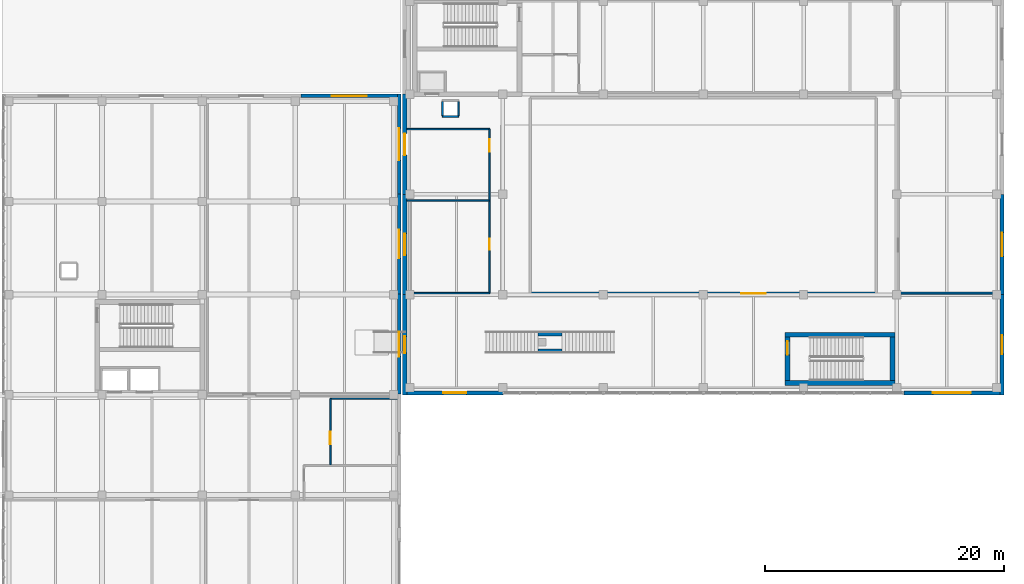
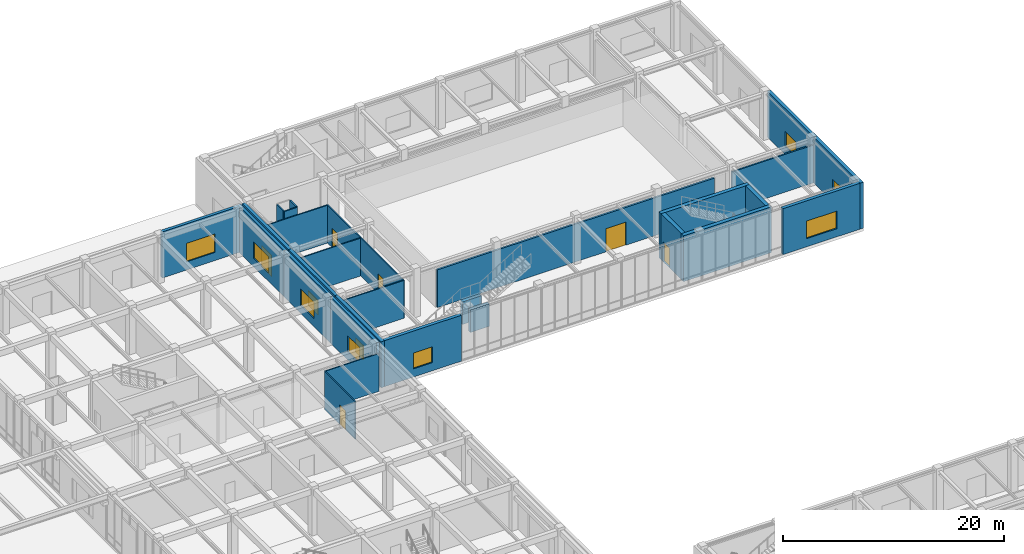
# One storey, part 102 of 122: 29 walls, 10 windows, 6 doors, 16 openings.
"""IFC4 building model written with IfcOpenShell, lengths in metres."""

import ifcopenshell
import ifcopenshell.guid

model = None  # the IFC model being written
_history = None  # IfcOwnerHistory: only IFC2X3 demands one
_inside = {}  # id of a spatial element -> (the spatial element, [elements in it])
_under = {}  # id of a project, library or spatial element -> (it, [spatial elements below it])
_declared = {}  # id of a project -> (the project, [libraries it declares])
_typed = {}  # id of a type object -> (the type object, [elements of that type])
_made_of = {}  # id of a material, layer set ... -> (it, [elements and type objects made of it])


def new_model(schema):
    """Start an empty IFC model of exactly this schema.

    Asked for "IFC4X3", IfcOpenShell would pick the latest addendum, in which some entities
    have other attributes; the version numbers below select the first issue.
    IFC2X3 requires an IfcOwnerHistory on every rooted entity: one is made here for all.
    """
    global model, _history
    if schema == "IFC4X3":
        model = ifcopenshell.file(schema_version=(4, 3, 0, 0))
    else:
        model = ifcopenshell.file(schema=schema)
    _inside.clear()
    _under.clear()
    _declared.clear()
    _typed.clear()
    _made_of.clear()
    _history = None
    if model.schema == "IFC2X3":
        org = make("IfcOrganization", Name="unknown")
        user = make(
            "IfcPersonAndOrganization",
            ThePerson=make("IfcPerson", FamilyName="unknown"),
            TheOrganization=org,
        )
        app = make(
            "IfcApplication",
            ApplicationDeveloper=org,
            Version="unknown",
            ApplicationFullName="unknown",
            ApplicationIdentifier="unknown",
        )
        _history = make(
            "IfcOwnerHistory",
            OwningUser=user,
            OwningApplication=app,
            ChangeAction="ADDED",
            CreationDate=0,
        )
    return model


def make(cls, **values):
    """One entity of the class cls with the attributes given. An attribute that is None is left unset."""
    return model.create_entity(
        cls, **{name: value for name, value in values.items() if value is not None}
    )


def rooted(cls, **values):
    """An entity with a GlobalId (a new one), such as an element, a storey or a relation."""
    return make(cls, GlobalId=ifcopenshell.guid.new(), OwnerHistory=_history, **values)


def si_unit(unit_type, name, prefix=None):
    """IfcSIUnit, for example si_unit("LENGTHUNIT", "METRE", prefix="MILLI")."""
    return make("IfcSIUnit", UnitType=unit_type, Prefix=prefix, Name=name)


def assignment(units):
    """IfcUnitAssignment: the units of a project."""
    return None if units is None else make("IfcUnitAssignment", Units=units)


def point(xyz):
    """IfcCartesianPoint."""
    return None if xyz is None else make("IfcCartesianPoint", Coordinates=xyz)


def direction(xyz):
    """IfcDirection."""
    return None if xyz is None else make("IfcDirection", DirectionRatios=xyz)


def frame(location, z_axis=None, x_axis=None):
    """IfcAxis2Placement3D, a coordinate frame: its origin and axes. An axis left out is left unset."""
    return make(
        "IfcAxis2Placement3D",
        Location=point(location),
        Axis=direction(z_axis),
        RefDirection=direction(x_axis),
    )


def frame_2d(location, x_axis=None):
    """IfcAxis2Placement2D, a coordinate frame in the plane: its origin and x axis."""
    return make(
        "IfcAxis2Placement2D", Location=point(location), RefDirection=direction(x_axis)
    )


def origin():
    """The frame at (0, 0, 0) with its axes left unset."""
    return frame((0.0, 0.0, 0.0))


def place(relative_to, where):
    """IfcLocalPlacement: puts the frame where relative to a parent placement (None: the world)."""
    return make(
        "IfcLocalPlacement", PlacementRelTo=relative_to, RelativePlacement=where
    )


def context(
    kind, dimensions, precision=None, world=None, true_north=None, identifier=None
):
    """IfcGeometricRepresentationContext, for example the 3D "Model" context."""
    return make(
        "IfcGeometricRepresentationContext",
        ContextIdentifier=identifier,
        ContextType=kind,
        CoordinateSpaceDimension=dimensions,
        Precision=precision,
        WorldCoordinateSystem=world,
        TrueNorth=true_north,
    )


def subcontext(parent, identifier, kind, view, scale=None):
    """IfcGeometricRepresentationSubContext, for example "Body" below "Model"."""
    return make(
        "IfcGeometricRepresentationSubContext",
        ContextIdentifier=identifier,
        ContextType=kind,
        ParentContext=parent,
        TargetScale=scale,
        TargetView=view,
    )


def project(units=None, contexts=None):
    """IfcProject with its units and contexts."""
    return rooted(
        "IfcProject",
        Name="project",
        RepresentationContexts=contexts,
        UnitsInContext=assignment(units),
    )


def spatial(cls, under=None, at=None, **own):
    """A site, building, storey or space (cls), placed at a placement, below another one or the project."""
    s = rooted(cls, ObjectPlacement=at, **own)
    if under is not None:
        _under.setdefault(under.id(), (under, []))[1].append(s)
    return s


def profile(cls, at=None, kind="AREA", **sizes):
    """A parametric profile (cls). Its sizes go by their IFC names, for example OverallWidth=200.0."""
    return make(cls, ProfileType=kind, Position=at, **sizes)


def rectangle(**sizes):
    """IfcRectangleProfileDef."""
    return profile("IfcRectangleProfileDef", **sizes)


def extrude(swept, where, along, depth):
    """IfcExtrudedAreaSolid: the profile swept, set in the frame where, extruded along a direction by depth."""
    return make(
        "IfcExtrudedAreaSolid",
        SweptArea=swept,
        Position=where,
        ExtrudedDirection=direction(along),
        Depth=depth,
    )


def shape(context_of_items, identifier, shape_type, items):
    """IfcShapeRepresentation: the items that make up one representation, for example the "Body"."""
    return make(
        "IfcShapeRepresentation",
        ContextOfItems=context_of_items,
        RepresentationIdentifier=identifier,
        RepresentationType=shape_type,
        Items=items,
    )


def material(Name=None, Category=None):
    """IfcMaterial."""
    return make("IfcMaterial", Name=Name, Category=Category)


def layer(
    of_material, thickness, ventilated=None, Name=None, Category=None, Priority=None
):
    """IfcMaterialLayer: one layer of a wall or slab, of a material (None: an air gap)."""
    return make(
        "IfcMaterialLayer",
        Material=of_material,
        LayerThickness=thickness,
        IsVentilated=ventilated,
        Name=Name,
        Category=Category,
        Priority=Priority,
    )


def layer_set(layers, Name=None):
    """IfcMaterialLayerSet."""
    return make("IfcMaterialLayerSet", MaterialLayers=layers, LayerSetName=Name)


def made_of(thing, what):
    """Note that an element or type object is made of a material, layer set ...; save() writes the relation."""
    if what is not None:
        _made_of.setdefault(what.id(), (what, []))[1].append(thing)
    return thing


def type_object(cls, material=None, **own):
    """A type object (cls), such as IfcWallType, which elements share."""
    return made_of(rooted(cls, **own), material)


def element(
    cls,
    number,
    at=None,
    inside=None,
    cuts=None,
    type_object=None,
    material=None,
    context=None,
    identifier="Body",
    shape_type=None,
    held_by="IfcProductDefinitionShape",
    body=None,
    shapes=None,
    **own,
):
    """One element of the class cls, such as IfcWall. Its Tag is "e" and its number.

    at: its placement. inside: the storey or other place that contains it. cuts: it is an
    opening in that element (IfcRelVoidsElement). A single representation is given by context,
    identifier, shape_type and body (its items); several are given by shapes. held_by: the class
    of the entity that holds the representations. save() writes the other relations.
    """
    e = rooted(cls, Tag="e%d" % number, ObjectPlacement=at, **own)
    if body is not None:
        shapes = [shape(context, identifier, shape_type, body)]
    if shapes is not None:
        e.Representation = make(held_by, Representations=shapes)
    if inside is not None:
        _inside.setdefault(inside.id(), (inside, []))[1].append(e)
    if cuts is not None:
        rooted(
            "IfcRelVoidsElement", RelatingBuildingElement=cuts, RelatedOpeningElement=e
        )
    if type_object is not None:
        _typed.setdefault(type_object.id(), (type_object, []))[1].append(e)
    return made_of(e, material)


def fill(opening, filler):
    """IfcRelFillsElement: the door or window that sits in an opening."""
    return rooted(
        "IfcRelFillsElement",
        RelatingOpeningElement=opening,
        RelatedBuildingElement=filler,
    )


def aggregate(whole, parts):
    """IfcRelAggregates: a whole, such as a stair, and the parts it consists of."""
    return rooted("IfcRelAggregates", RelatingObject=whole, RelatedObjects=parts)


def save(model, path):
    """Write the relations noted so far, then the file.

    IfcRelAggregates (storeys below a building ...), IfcRelContainedInSpatialStructure (elements
    in a storey), IfcRelDefinesByType, IfcRelAssociatesMaterial and IfcRelDeclares: one each for
    every whole, place, type object, material and project.
    """
    for whole, parts in _under.values():
        aggregate(whole, parts)
    for where, things in _inside.values():
        rooted(
            "IfcRelContainedInSpatialStructure",
            RelatedElements=things,
            RelatingStructure=where,
        )
    for kind, things in _typed.values():
        rooted("IfcRelDefinesByType", RelatedObjects=things, RelatingType=kind)
    for what, things in _made_of.values():
        rooted("IfcRelAssociatesMaterial", RelatedObjects=things, RelatingMaterial=what)
    for by, libraries in _declared.values():
        rooted("IfcRelDeclares", RelatingContext=by, RelatedDefinitions=libraries)
    model.write(path)


model = new_model("IFC4")

# Units and contexts
model_context = context("Model", 3, precision=1e-05, world=origin(), true_north=direction((0.0, 1.0)))
body_context = subcontext(model_context, "Body", "Model", "MODEL_VIEW")
ifc_project = project(units=[si_unit("LENGTHUNIT", "METRE"), si_unit("AREAUNIT", "SQUARE_METRE"), si_unit("VOLUMEUNIT", "CUBIC_METRE"), si_unit("PLANEANGLEUNIT", "RADIAN"), si_unit("MASSUNIT", "GRAM", prefix="KILO")], contexts=[model_context])

# Site, building, storey
site_placement = place(None, origin())
site = spatial("IfcSite", under=ifc_project, at=site_placement, CompositionType="ELEMENT")
building_placement = place(site_placement, origin())
building = spatial("IfcBuilding", under=site, at=building_placement, Name="Zayran Congress Hotel", CompositionType="ELEMENT")
storey_placement = place(building_placement, origin())
storey = spatial("IfcBuildingStorey", under=building, at=storey_placement, Name="L00", CompositionType="ELEMENT", Elevation=0.0)

# Wall, opening, window
ifc_material_1 = material(Name="Hajar Ma'ani limestone and insulated concrete C32/40", Category="masonry")
ifc_layer_1 = layer(ifc_material_1, 0.340087890625)
ifc_layer_set_1 = layer_set([ifc_layer_1], Name="Hajar Ma'ani limestone and insulated concrete C32/40")
wall_type_1 = type_object("IfcWallType", Name="WL-EX-340", PredefinedType="SOLIDWALL", material=ifc_layer_set_1)
wall_1_placement = place(storey_placement, frame((151.199951171875, 84.570068359375, 0.0), z_axis=(0.0, 0.0, 1.0), x_axis=(-1.0, 0.0, 0.0)))
wall_1 = element("IfcWall", 1, at=wall_1_placement, inside=storey, type_object=wall_type_1, Name="EW-V2-S-L00-0", PredefinedType="SOLIDWALL", context=body_context, shape_type="SweptSolid", body=[
    extrude(rectangle(XDim=8.06005859375, YDim=0.340087890625, at=frame_2d((4.030029296875, 0.0))), origin(), (0.0, 0.0, 1.0), 5.080078125),
])
opening_1_placement = place(wall_1_placement, frame((3.054931640625, 0.0, 0.89990234375)))
opening_1 = element("IfcOpeningElement", 2, at=opening_1_placement, cuts=wall_1, Name="Opening WN-08", PredefinedType="OPENING", context=body_context, shape_type="SweptSolid", body=[
    extrude(rectangle(XDim=1.949951171875, YDim=1.75, at=frame_2d((0.97509765625, 0.875))), frame((0.0, 0.179931640625, 0.0), z_axis=(0.0, -1.0, 0.0), x_axis=(1.0, 0.0, 0.0)), (0.0, 0.0, 1.0), 0.360107421875),
])
ifc_material_2 = material(Name="Anodised aluminium and low-E insulated glass", Category="aluminium")
window_type_1 = type_object("IfcWindowType", Name="TP-WN-08", PartitioningType="DOUBLE_PANEL_VERTICAL", PredefinedType="WINDOW", material=ifc_material_2)
window_1_placement = place(opening_1_placement, origin())
window_1 = element("IfcWindow", 3, at=window_1_placement, inside=storey, type_object=window_type_1, Name="WIN-V2-0010", OverallHeight=1.75, OverallWidth=1.949951171875, PartitioningType="SINGLE_PANEL", PredefinedType="WINDOW", context=body_context, shape_type="SweptSolid", body=[
    extrude(rectangle(XDim=1.949951171875, YDim=1.75, at=frame_2d((0.97509765625, 0.875))), frame((0.0, 0.030029296875, 0.0), z_axis=(0.0, -1.0, 0.0), x_axis=(1.0, 0.0, 0.0)), (0.0, 0.0, 1.0), 0.06005859375),
])
fill(opening_1, window_1)

wall_2_placement = place(storey_placement, frame((192.860107421875, 84.570068359375, 0.0), z_axis=(0.0, 0.0, 1.0), x_axis=(-1.0, 0.0, 0.0)))
wall_2 = element("IfcWall", 4, at=wall_2_placement, inside=storey, type_object=wall_type_1, Name="EW-V2-S-L00-5", PredefinedType="SOLIDWALL", context=body_context, shape_type="SweptSolid", body=[
    extrude(rectangle(XDim=8.06005859375, YDim=0.340087890625, at=frame_2d((4.030029296875, 0.0))), origin(), (0.0, 0.0, 1.0), 5.080078125),
])
opening_2_placement = place(wall_2_placement, frame((2.429931640625, 0.0, 0.89990234375)))
opening_2 = element("IfcOpeningElement", 5, at=opening_2_placement, cuts=wall_2, Name="Opening WN-12", PredefinedType="OPENING", context=body_context, shape_type="SweptSolid", body=[
    extrude(rectangle(XDim=3.199951171875, YDim=1.949951171875, at=frame_2d((1.60009765625, 0.97509765625))), frame((0.0, 0.179931640625, 0.0), z_axis=(0.0, -1.0, 0.0), x_axis=(1.0, 0.0, 0.0)), (0.0, 0.0, 1.0), 0.360107421875),
])
window_type_2 = type_object("IfcWindowType", Name="TP-WN-12", PartitioningType="TRIPLE_PANEL_VERTICAL", PredefinedType="WINDOW", material=ifc_material_2)
window_2_placement = place(opening_2_placement, origin())
window_2 = element("IfcWindow", 6, at=window_2_placement, inside=storey, type_object=window_type_2, Name="WIN-V2-0016", OverallHeight=1.949951171875, OverallWidth=3.199951171875, PartitioningType="SINGLE_PANEL", PredefinedType="WINDOW", context=body_context, shape_type="SweptSolid", body=[
    extrude(rectangle(XDim=3.199951171875, YDim=1.949951171875, at=frame_2d((1.60009765625, 0.97509765625))), frame((0.0, 0.030029296875, 0.0), z_axis=(0.0, -1.0, 0.0), x_axis=(1.0, 0.0, 0.0)), (0.0, 0.0, 1.0), 0.06005859375),
])
fill(opening_2, window_2)

wall_3_placement = place(storey_placement, frame((142.969970703125, 84.39990234375, 0.0), z_axis=(0.0, 0.0, 1.0), x_axis=(0.0, 1.0, 0.0)))
wall_3 = element("IfcWall", 7, at=wall_3_placement, inside=storey, type_object=wall_type_1, Name="EW-V2-W-L00-0", PredefinedType="SOLIDWALL", context=body_context, shape_type="SweptSolid", body=[
    extrude(rectangle(XDim=8.400146484375, YDim=0.340087890625, at=frame_2d((4.2001953125, 0.0))), origin(), (0.0, 0.0, 1.0), 5.080078125),
])
opening_3_placement = place(wall_3_placement, frame((3.5, 0.0, 0.89990234375)))
opening_3 = element("IfcOpeningElement", 8, at=opening_3_placement, cuts=wall_3, Name="Opening WN-14", PredefinedType="OPENING", context=body_context, shape_type="SweptSolid", body=[
    extrude(rectangle(XDim=1.39990234375, YDim=1.60009765625, at=frame_2d((0.699951171875, 0.800048828125))), frame((0.0, 0.179931640625, 0.0), z_axis=(0.0, -1.0, 0.0), x_axis=(1.0, 0.0, 0.0)), (0.0, 0.0, 1.0), 0.360107421875),
])
window_type_3 = type_object("IfcWindowType", Name="TP-WN-14", PartitioningType="SINGLE_PANEL", PredefinedType="WINDOW", material=ifc_material_2)
window_3_placement = place(opening_3_placement, origin())
window_3 = element("IfcWindow", 9, at=window_3_placement, inside=storey, type_object=window_type_3, Name="WIN-V2-0018", OverallHeight=1.60009765625, OverallWidth=1.39990234375, PartitioningType="SINGLE_PANEL", PredefinedType="WINDOW", context=body_context, shape_type="SweptSolid", body=[
    extrude(rectangle(XDim=1.39990234375, YDim=1.60009765625, at=frame_2d((0.699951171875, 0.800048828125))), frame((0.0, 0.030029296875, 0.0), z_axis=(0.0, -1.0, 0.0), x_axis=(1.0, 0.0, 0.0)), (0.0, 0.0, 1.0), 0.06005859375),
])
fill(opening_3, window_3)

wall_4_placement = place(storey_placement, frame((193.030029296875, 92.800048828125, 0.0), z_axis=(0.0, 0.0, 1.0), x_axis=(0.0, -1.0, 0.0)))
wall_4 = element("IfcWall", 10, at=wall_4_placement, inside=storey, type_object=wall_type_1, Name="EW-V2-E-L00-0", PredefinedType="SOLIDWALL", context=body_context, shape_type="SweptSolid", body=[
    extrude(rectangle(XDim=8.400146484375, YDim=0.340087890625, at=frame_2d((4.2001953125, 0.0))), origin(), (0.0, 0.0, 1.0), 5.080078125),
])
opening_4_placement = place(wall_4_placement, frame((3.39990234375, 0.0, 0.89990234375)))
opening_4 = element("IfcOpeningElement", 11, at=opening_4_placement, cuts=wall_4, Name="Opening WN-15", PredefinedType="OPENING", context=body_context, shape_type="SweptSolid", body=[
    extrude(rectangle(XDim=1.60009765625, YDim=1.60009765625, at=frame_2d((0.800048828125, 0.800048828125))), frame((0.0, 0.179931640625, 0.0), z_axis=(0.0, -1.0, 0.0), x_axis=(1.0, 0.0, 0.0)), (0.0, 0.0, 1.0), 0.360107421875),
])
window_type_4 = type_object("IfcWindowType", Name="TP-WN-15", PartitioningType="SINGLE_PANEL", PredefinedType="WINDOW", material=ifc_material_2)
window_4_placement = place(opening_4_placement, origin())
window_4 = element("IfcWindow", 12, at=window_4_placement, inside=storey, type_object=window_type_4, Name="WIN-V2-0019", OverallHeight=1.60009765625, OverallWidth=1.60009765625, PartitioningType="SINGLE_PANEL", PredefinedType="WINDOW", context=body_context, shape_type="SweptSolid", body=[
    extrude(rectangle(XDim=1.60009765625, YDim=1.60009765625, at=frame_2d((0.800048828125, 0.800048828125))), frame((0.0, 0.030029296875, 0.0), z_axis=(0.0, -1.0, 0.0), x_axis=(1.0, 0.0, 0.0)), (0.0, 0.0, 1.0), 0.06005859375),
])
fill(opening_4, window_4)

wall_5_placement = place(storey_placement, frame((142.969970703125, 92.800048828125, 0.0), z_axis=(0.0, 0.0, 1.0), x_axis=(0.0, 1.0, 0.0)))
wall_5 = element("IfcWall", 13, at=wall_5_placement, inside=storey, type_object=wall_type_1, Name="EW-V2-W-L00-1", PredefinedType="SOLIDWALL", context=body_context, shape_type="SweptSolid", body=[
    extrude(rectangle(XDim=8.39990234375, YDim=0.340087890625, at=frame_2d((4.199951171875, 0.0))), origin(), (0.0, 0.0, 1.0), 5.080078125),
])
opening_5_placement = place(wall_5_placement, frame((3.300048828125, 0.0, 0.89990234375)))
opening_5 = element("IfcOpeningElement", 14, at=opening_5_placement, cuts=wall_5, Name="Opening WN-16", PredefinedType="OPENING", context=body_context, shape_type="SweptSolid", body=[
    extrude(rectangle(XDim=1.800048828125, YDim=1.60009765625, at=frame_2d((0.89990234375, 0.800048828125))), frame((0.0, 0.179931640625, 0.0), z_axis=(0.0, -1.0, 0.0), x_axis=(1.0, 0.0, 0.0)), (0.0, 0.0, 1.0), 0.360107421875),
])
window_type_5 = type_object("IfcWindowType", Name="TP-WN-16", PartitioningType="DOUBLE_PANEL_VERTICAL", PredefinedType="WINDOW", material=ifc_material_2)
window_5_placement = place(opening_5_placement, origin())
window_5 = element("IfcWindow", 15, at=window_5_placement, inside=storey, type_object=window_type_5, Name="WIN-V2-0020", OverallHeight=1.60009765625, OverallWidth=1.800048828125, PartitioningType="SINGLE_PANEL", PredefinedType="WINDOW", context=body_context, shape_type="SweptSolid", body=[
    extrude(rectangle(XDim=1.800048828125, YDim=1.60009765625, at=frame_2d((0.89990234375, 0.800048828125))), frame((0.0, 0.030029296875, 0.0), z_axis=(0.0, -1.0, 0.0), x_axis=(1.0, 0.0, 0.0)), (0.0, 0.0, 1.0), 0.06005859375),
])
fill(opening_5, window_5)

wall_6_placement = place(storey_placement, frame((193.030029296875, 101.199951171875, 0.0), z_axis=(0.0, 0.0, 1.0), x_axis=(0.0, -1.0, 0.0)))
wall_6 = element("IfcWall", 16, at=wall_6_placement, inside=storey, type_object=wall_type_1, Name="EW-V2-E-L00-1", PredefinedType="SOLIDWALL", context=body_context, shape_type="SweptSolid", body=[
    extrude(rectangle(XDim=8.39990234375, YDim=0.340087890625, at=frame_2d((4.199951171875, 0.0))), origin(), (0.0, 0.0, 1.0), 5.080078125),
])
opening_6_placement = place(wall_6_placement, frame((3.199951171875, 0.0, 0.89990234375)))
opening_6 = element("IfcOpeningElement", 17, at=opening_6_placement, cuts=wall_6, Name="Opening WN-17", PredefinedType="OPENING", context=body_context, shape_type="SweptSolid", body=[
    extrude(rectangle(XDim=2.0, YDim=1.64990234375, at=frame_2d((1.0, 0.824951171875))), frame((0.0, 0.179931640625, 0.0), z_axis=(0.0, -1.0, 0.0), x_axis=(1.0, 0.0, 0.0)), (0.0, 0.0, 1.0), 0.360107421875),
])
window_type_6 = type_object("IfcWindowType", Name="TP-WN-17", PartitioningType="DOUBLE_PANEL_VERTICAL", PredefinedType="WINDOW", material=ifc_material_2)
window_6_placement = place(opening_6_placement, origin())
window_6 = element("IfcWindow", 18, at=window_6_placement, inside=storey, type_object=window_type_6, Name="WIN-V2-0021", OverallHeight=1.64990234375, OverallWidth=2.0, PartitioningType="SINGLE_PANEL", PredefinedType="WINDOW", context=body_context, shape_type="SweptSolid", body=[
    extrude(rectangle(XDim=2.0, YDim=1.64990234375, at=frame_2d((1.0, 0.824951171875))), frame((0.0, 0.030029296875, 0.0), z_axis=(0.0, -1.0, 0.0), x_axis=(1.0, 0.0, 0.0)), (0.0, 0.0, 1.0), 0.06005859375),
])
fill(opening_6, window_6)

# Wall, opening, door
wall_7_placement = place(storey_placement, frame((142.969970703125, 101.199951171875, 0.0), z_axis=(0.0, 0.0, 1.0), x_axis=(0.0, 1.0, 0.0)))
wall_7 = element("IfcWall", 19, at=wall_7_placement, inside=storey, type_object=wall_type_1, Name="EW-V2-W-L00-2", PredefinedType="SOLIDWALL", context=body_context, shape_type="SweptSolid", body=[
    extrude(rectangle(XDim=8.400146484375, YDim=0.340087890625, at=frame_2d((4.2001953125, 0.0))), origin(), (0.0, 0.0, 1.0), 5.080078125),
])
opening_7_placement = place(wall_7_placement, frame((3.300048828125, 0.0, 0.0)))
opening_7 = element("IfcOpeningElement", 20, at=opening_7_placement, cuts=wall_7, Name="Opening DEX-03", PredefinedType="OPENING", context=body_context, shape_type="SweptSolid", body=[
    extrude(rectangle(XDim=1.800048828125, YDim=2.39990234375, at=frame_2d((0.89990234375, 1.199951171875))), frame((0.0, 0.179931640625, 0.0), z_axis=(0.0, -1.0, 0.0), x_axis=(1.0, 0.0, 0.0)), (0.0, 0.0, 1.0), 0.360107421875),
])
ifc_material_3 = material(Name="Painted steel fire exit door assembly", Category="steel")
door_type_1 = type_object("IfcDoorType", Name="TP-DEX-03", OperationType="DOUBLE_DOOR_SINGLE_SWING", PredefinedType="DOOR", material=ifc_material_3)
door_1_placement = place(opening_7_placement, origin())
door_1 = element("IfcDoor", 21, at=door_1_placement, inside=storey, type_object=door_type_1, Name="V2 Side Final Exit Door 12", OperationType="DOUBLE_DOOR_SINGLE_SWING", OverallHeight=2.39990234375, OverallWidth=1.800048828125, PredefinedType="DOOR", context=body_context, shape_type="SweptSolid", body=[
    extrude(rectangle(XDim=1.800048828125, YDim=2.39990234375, at=frame_2d((0.89990234375, 1.199951171875))), frame((0.0, 0.02490234375, 0.0), z_axis=(0.0, -1.0, 0.0), x_axis=(1.0, 0.0, 0.0)), (0.0, 0.0, 1.0), 0.050048828125),
])
fill(opening_7, door_1)

# Wall, opening, window
ifc_material_4 = material(Name="Ajlun white limestone and insulated concrete C32/40", Category="masonry")
ifc_layer_2 = layer(ifc_material_4, 0.300048828125)
ifc_layer_set_2 = layer_set([ifc_layer_2], Name="Ajlun white limestone and insulated concrete C32/40")
wall_type_2 = type_object("IfcWallType", Name="WL-EX-300", PredefinedType="SOLIDWALL", material=ifc_layer_set_2)
wall_8_placement = place(storey_placement, frame((134.287109375, 109.449951171875, 0.0), z_axis=(0.0, 0.0, 1.0), x_axis=(1.0, 0.0, 0.0)))
wall_8 = element("IfcWall", 22, at=wall_8_placement, inside=storey, type_object=wall_type_2, Name="EW-V4-N-L00-3", PredefinedType="SOLIDWALL", context=body_context, shape_type="SweptSolid", body=[
    extrude(rectangle(XDim=8.06298828125, YDim=0.300048828125, at=frame_2d((4.031494140625, 0.0))), origin(), (0.0, 0.0, 1.0), 5.10009765625),
])
opening_8_placement = place(wall_8_placement, frame((2.556884765625, 0.0, 0.89990234375)))
opening_8 = element("IfcOpeningElement", 23, at=opening_8_placement, cuts=wall_8, Name="Opening WN-44", PredefinedType="OPENING", context=body_context, shape_type="SweptSolid", body=[
    extrude(rectangle(XDim=2.949951171875, YDim=2.050048828125, at=frame_2d((1.47509765625, 1.02490234375))), frame((0.0, 0.159912109375, 0.0), z_axis=(0.0, -1.0, 0.0), x_axis=(1.0, 0.0, 0.0)), (0.0, 0.0, 1.0), 0.320068359375),
])
window_type_7 = type_object("IfcWindowType", Name="TP-WN-44", PartitioningType="TRIPLE_PANEL_VERTICAL", PredefinedType="WINDOW", material=ifc_material_2)
window_7_placement = place(opening_8_placement, origin())
window_7 = element("IfcWindow", 24, at=window_7_placement, inside=storey, type_object=window_type_7, Name="WIN-V4-0106", OverallHeight=2.050048828125, OverallWidth=2.949951171875, PartitioningType="SINGLE_PANEL", PredefinedType="WINDOW", context=body_context, shape_type="SweptSolid", body=[
    extrude(rectangle(XDim=2.949951171875, YDim=2.050048828125, at=frame_2d((1.47509765625, 1.02490234375))), frame((0.0, 0.030029296875, 0.0), z_axis=(0.0, -1.0, 0.0), x_axis=(1.0, 0.0, 0.0)), (0.0, 0.0, 1.0), 0.06005859375),
])
fill(opening_8, window_7)

wall_9_placement = place(storey_placement, frame((142.5, 92.8369140625, 0.0), z_axis=(0.0, 0.0, 1.0), x_axis=(0.0, -1.0, 0.0)))
wall_9 = element("IfcWall", 25, at=wall_9_placement, inside=storey, type_object=wall_type_2, Name="EW-V4-E-L00-5", PredefinedType="SOLIDWALL", context=body_context, shape_type="SweptSolid", body=[
    extrude(rectangle(XDim=8.380859375, YDim=0.300048828125, at=frame_2d((4.1904296875, 0.0))), origin(), (0.0, 0.0, 1.0), 5.10009765625),
])
opening_9_placement = place(wall_9_placement, frame((3.14111328125, 0.0, 0.89990234375)))
opening_9 = element("IfcOpeningElement", 26, at=opening_9_placement, cuts=wall_9, Name="Opening WN-02", PredefinedType="OPENING", context=body_context, shape_type="SweptSolid", body=[
    extrude(rectangle(XDim=2.10009765625, YDim=1.800048828125, at=frame_2d((1.050048828125, 0.89990234375))), frame((0.0, 0.159912109375, 0.0), z_axis=(0.0, -1.0, 0.0), x_axis=(1.0, 0.0, 0.0)), (0.0, 0.0, 1.0), 0.320068359375),
])
window_type_8 = type_object("IfcWindowType", Name="TP-WN-02", PartitioningType="DOUBLE_PANEL_VERTICAL", PredefinedType="WINDOW", material=ifc_material_2)
window_8_placement = place(opening_9_placement, origin())
window_8 = element("IfcWindow", 27, at=window_8_placement, inside=storey, type_object=window_type_8, Name="WIN-V4-0114", OverallHeight=1.800048828125, OverallWidth=2.10009765625, PartitioningType="SINGLE_PANEL", PredefinedType="WINDOW", context=body_context, shape_type="SweptSolid", body=[
    extrude(rectangle(XDim=2.10009765625, YDim=1.800048828125, at=frame_2d((1.050048828125, 0.89990234375))), frame((0.0, 0.030029296875, 0.0), z_axis=(0.0, -1.0, 0.0), x_axis=(1.0, 0.0, 0.0)), (0.0, 0.0, 1.0), 0.06005859375),
])
fill(opening_9, window_8)

wall_10_placement = place(storey_placement, frame((142.5, 101.218994140625, 0.0), z_axis=(0.0, 0.0, 1.0), x_axis=(0.0, -1.0, 0.0)))
wall_10 = element("IfcWall", 28, at=wall_10_placement, inside=storey, type_object=wall_type_2, Name="EW-V4-E-L00-6", PredefinedType="SOLIDWALL", context=body_context, shape_type="SweptSolid", body=[
    extrude(rectangle(XDim=8.382080078125, YDim=0.300048828125, at=frame_2d((4.19091796875, 0.0))), origin(), (0.0, 0.0, 1.0), 5.10009765625),
])
opening_10_placement = place(wall_10_placement, frame((2.990966796875, 0.0, 0.89990234375)))
opening_10 = element("IfcOpeningElement", 29, at=opening_10_placement, cuts=wall_10, Name="Opening WN-03", PredefinedType="OPENING", context=body_context, shape_type="SweptSolid", body=[
    extrude(rectangle(XDim=2.39990234375, YDim=1.800048828125, at=frame_2d((1.199951171875, 0.89990234375))), frame((0.0, 0.159912109375, 0.0), z_axis=(0.0, -1.0, 0.0), x_axis=(1.0, 0.0, 0.0)), (0.0, 0.0, 1.0), 0.320068359375),
])
window_type_9 = type_object("IfcWindowType", Name="TP-WN-03", PartitioningType="DOUBLE_PANEL_VERTICAL", PredefinedType="WINDOW", material=ifc_material_2)
window_9_placement = place(opening_10_placement, origin())
window_9 = element("IfcWindow", 30, at=window_9_placement, inside=storey, type_object=window_type_9, Name="WIN-V4-0115", OverallHeight=1.800048828125, OverallWidth=2.39990234375, PartitioningType="SINGLE_PANEL", PredefinedType="WINDOW", context=body_context, shape_type="SweptSolid", body=[
    extrude(rectangle(XDim=2.39990234375, YDim=1.800048828125, at=frame_2d((1.199951171875, 0.89990234375))), frame((0.0, 0.030029296875, 0.0), z_axis=(0.0, -1.0, 0.0), x_axis=(1.0, 0.0, 0.0)), (0.0, 0.0, 1.0), 0.06005859375),
])
fill(opening_10, window_9)

wall_11_placement = place(storey_placement, frame((142.5, 109.60009765625, 0.0), z_axis=(0.0, 0.0, 1.0), x_axis=(0.0, -1.0, 0.0)))
wall_11 = element("IfcWall", 31, at=wall_11_placement, inside=storey, type_object=wall_type_2, Name="EW-V4-E-L00-7", PredefinedType="SOLIDWALL", context=body_context, shape_type="SweptSolid", body=[
    extrude(rectangle(XDim=8.381103515625, YDim=0.300048828125, at=frame_2d((4.1904296875, 0.0))), origin(), (0.0, 0.0, 1.0), 5.10009765625),
])
opening_11_placement = place(wall_11_placement, frame((2.841064453125, 0.0, 0.89990234375)))
opening_11 = element("IfcOpeningElement", 32, at=opening_11_placement, cuts=wall_11, Name="Opening WN-04", PredefinedType="OPENING", context=body_context, shape_type="SweptSolid", body=[
    extrude(rectangle(XDim=2.699951171875, YDim=1.85009765625, at=frame_2d((1.35009765625, 0.925048828125))), frame((0.0, 0.159912109375, 0.0), z_axis=(0.0, -1.0, 0.0), x_axis=(1.0, 0.0, 0.0)), (0.0, 0.0, 1.0), 0.320068359375),
])
window_type_10 = type_object("IfcWindowType", Name="TP-WN-04", PartitioningType="TRIPLE_PANEL_VERTICAL", PredefinedType="WINDOW", material=ifc_material_2)
window_10_placement = place(opening_11_placement, origin())
window_10 = element("IfcWindow", 33, at=window_10_placement, inside=storey, type_object=window_type_10, Name="WIN-V4-0116", OverallHeight=1.85009765625, OverallWidth=2.699951171875, PartitioningType="SINGLE_PANEL", PredefinedType="WINDOW", context=body_context, shape_type="SweptSolid", body=[
    extrude(rectangle(XDim=2.699951171875, YDim=1.85009765625, at=frame_2d((1.35009765625, 0.925048828125))), frame((0.0, 0.030029296875, 0.0), z_axis=(0.0, -1.0, 0.0), x_axis=(1.0, 0.0, 0.0)), (0.0, 0.0, 1.0), 0.06005859375),
])
fill(opening_11, window_10)

# Walls
ifc_material_5 = material(Name="Concrete C40/50", Category="concrete")
ifc_layer_3 = layer(ifc_material_5, 0.39990234375)
ifc_layer_set_3 = layer_set([ifc_layer_3], Name="Concrete C40/50")
wall_type_3 = type_object("IfcWallType", Name="WL-SH-400", PredefinedType="SHEAR", material=ifc_layer_set_3)
for number, where, z_axis, x_axis, name in (
    (34, (174.85009765625, 85.39990234375, 0.0), (0.0, 0.0, 1.0), (1.0, 0.0, 0.0), "CWALL-C-V2E-L00-S"),
    (35, (184.050048828125, 89.425048828125, 0.0), (0.0, 0.0, 1.0), (-1.0, 0.0, 0.0), "CWALL-C-V2E-L00-N"),
):
    element("IfcWall", number, at=place(storey_placement, frame(where, z_axis=z_axis, x_axis=x_axis)), inside=storey, type_object=wall_type_3, Name=name, PredefinedType="SHEAR", context=body_context, shape_type="SweptSolid", body=[
        extrude(rectangle(XDim=9.199951171875, YDim=0.39990234375, at=frame_2d((4.60009765625, 0.0))), origin(), (0.0, 0.0, 1.0), 5.080078125),
    ])

# Wall, opening, door
wall_12_placement = place(storey_placement, frame((175.050048828125, 89.239990234375, 0.0), z_axis=(0.0, 0.0, 1.0), x_axis=(0.0, -1.0, 0.0)))
wall_12 = element("IfcWall", 36, at=wall_12_placement, inside=storey, type_object=wall_type_3, Name="CWALL-C-V2E-L00-W", PredefinedType="SHEAR", context=body_context, shape_type="SweptSolid", body=[
    extrude(rectangle(XDim=3.639892578125, YDim=0.39990234375, at=frame_2d((1.81982421875, 0.0))), origin(), (0.0, 0.0, 1.0), 5.080078125),
])
opening_12_placement = place(wall_12_placement, frame((0.35009765625, 0.0, 0.0)))
opening_12 = element("IfcOpeningElement", 37, at=opening_12_placement, cuts=wall_12, Name="Opening DR-FD-90", PredefinedType="OPENING", context=body_context, shape_type="SweptSolid", body=[
    extrude(rectangle(XDim=1.14990234375, YDim=2.199951171875, at=frame_2d((0.574951171875, 1.10009765625))), frame((0.0, 0.2099609375, 0.0), z_axis=(0.0, -1.0, 0.0), x_axis=(1.0, 0.0, 0.0)), (0.0, 0.0, 1.0), 0.419921875),
])
ifc_material_6 = material(Name="Painted steel fire door assembly", Category="steel")
door_type_2 = type_object("IfcDoorType", Name="TP-DR-FD-90", OperationType="NOTDEFINED", PredefinedType="DOOR", material=ifc_material_6)
door_2_placement = place(opening_12_placement, origin())
door_2 = element("IfcDoor", 38, at=door_2_placement, inside=storey, type_object=door_type_2, Name="ST-10 Exit Stair Door L00", OperationType="SINGLE_SWING_RIGHT", OverallHeight=2.199951171875, OverallWidth=1.14990234375, PredefinedType="DOOR", context=body_context, shape_type="SweptSolid", body=[
    extrude(rectangle(XDim=1.14990234375, YDim=2.199951171875, at=frame_2d((0.574951171875, 1.10009765625))), frame((0.0, 0.02490234375, 0.0), z_axis=(0.0, -1.0, 0.0), x_axis=(1.0, 0.0, 0.0)), (0.0, 0.0, 1.0), 0.050048828125),
])
fill(opening_12, door_2)

# Walls
wall_13_placement = place(storey_placement, frame((183.85009765625, 85.60009765625, 0.0), z_axis=(0.0, 0.0, 1.0), x_axis=(0.0, 1.0, 0.0)))
element("IfcWall", 39, at=wall_13_placement, inside=storey, type_object=wall_type_3, Name="CWALL-C-V2E-L00-E", PredefinedType="SHEAR", context=body_context, shape_type="SweptSolid", body=[
    extrude(rectangle(XDim=3.639892578125, YDim=0.39990234375, at=frame_2d((1.81982421875, 0.0))), origin(), (0.0, 0.0, 1.0), 5.080078125),
])
ifc_layer_4 = layer(ifc_material_5, 0.35009765625)
ifc_layer_set_4 = layer_set([ifc_layer_4], Name="Concrete C40/50")
wall_type_4 = type_object("IfcWallType", Name="WL-SH-350", PredefinedType="SHEAR", material=ifc_layer_set_4)
for number, where, z_axis, x_axis, name in (
    (40, (154.14990234375, 88.074951171875, 0.0), (0.0, 0.0, 1.0), (1.0, 0.0, 0.0), "VWALL-SUP-04-R"),
    (41, (154.14990234375, 89.52490234375, 0.0), (0.0, 0.0, 1.0), (1.0, 0.0, 0.0), "VWALL-SUP-04-L"),
):
    element("IfcWall", number, at=place(storey_placement, frame(where, z_axis=z_axis, x_axis=x_axis)), inside=storey, type_object=wall_type_4, Name=name, PredefinedType="SHEAR", context=body_context, shape_type="SweptSolid", body=[
        extrude(rectangle(XDim=2.0, YDim=0.35009765625, at=frame_2d((1.0, 0.0))), origin(), (0.0, 0.0, 1.0), 2.5),
    ])

# Wall, opening, door
ifc_material_7 = material(Name="Concrete C32/40 acoustic masonry", Category="masonry")
ifc_layer_5 = layer(ifc_material_7, 0.199951171875)
ifc_layer_set_5 = layer_set([ifc_layer_5], Name="Concrete C32/40 acoustic masonry")
wall_type_5 = type_object("IfcWallType", Name="WL-SL-200", PredefinedType="SOLIDWALL", material=ifc_layer_set_5)
wall_14_placement = place(storey_placement, frame((153.52001953125, 92.89990234375, 0.0), z_axis=(0.0, 0.0, 1.0), x_axis=(1.0, 0.0, 0.0)))
wall_14 = element("IfcWall", 42, at=wall_14_placement, inside=storey, type_object=wall_type_5, Name="IW-L00-0396", PredefinedType="SOLIDWALL", context=body_context, shape_type="SweptSolid", body=[
    extrude(rectangle(XDim=28.9599609375, YDim=0.199951171875, at=frame_2d((14.47998046875, 0.0))), origin(), (0.0, 0.0, 1.0), 4.179931640625),
])
opening_13_placement = place(wall_14_placement, frame((17.64794921875, 0.0, 0.0)))
opening_13 = element("IfcOpeningElement", 43, at=opening_13_placement, cuts=wall_14, Name="Opening DR-BL-01", PredefinedType="OPENING", context=body_context, shape_type="SweptSolid", body=[
    extrude(rectangle(XDim=2.050048828125, YDim=2.550048828125, at=frame_2d((1.02490234375, 1.27490234375))), frame((0.0, 0.10986328125, 0.0), z_axis=(0.0, -1.0, 0.0), x_axis=(1.0, 0.0, 0.0)), (0.0, 0.0, 1.0), 0.219970703125),
])
ifc_material_8 = material(Name="Acoustic Grand Ballroom double portal door", Category="steel")
door_type_3 = type_object("IfcDoorType", Name="TP-DR-BL-01", OperationType="DOUBLE_DOOR_SINGLE_SWING", PredefinedType="DOOR", material=ifc_material_8)
door_3_placement = place(opening_13_placement, origin())
door_3 = element("IfcDoor", 44, at=door_3_placement, inside=storey, type_object=door_type_3, Name="Grand Ballroom Door", OperationType="DOUBLE_DOOR_SINGLE_SWING", OverallHeight=2.550048828125, OverallWidth=2.050048828125, PredefinedType="DOOR", context=body_context, shape_type="SweptSolid", body=[
    extrude(rectangle(XDim=2.050048828125, YDim=2.550048828125, at=frame_2d((1.02490234375, 1.27490234375))), frame((0.0, 0.02490234375, 0.0), z_axis=(0.0, -1.0, 0.0), x_axis=(1.0, 0.0, 0.0)), (0.0, 0.0, 1.0), 0.050048828125),
])
fill(opening_13, door_3)

# Walls
ifc_material_9 = material(Name="Acoustic twin-stud gypsum partition", Category="gypsum")
ifc_layer_6 = layer(ifc_material_9, 0.159912109375)
ifc_layer_set_6 = layer_set([ifc_layer_6], Name="Acoustic twin-stud gypsum partition")
wall_type_6 = type_object("IfcWallType", Name="WL-PT-160", PredefinedType="PARTITIONING", material=ifc_layer_set_6)
wall_15_placement = place(storey_placement, frame((184.320068359375, 92.919921875, 0.0), z_axis=(0.0, 0.0, 1.0), x_axis=(1.0, 0.0, 0.0)))
element("IfcWall", 45, at=wall_15_placement, inside=storey, type_object=wall_type_6, Name="IW-L00-1672", PredefinedType="PARTITIONING", context=body_context, shape_type="SweptSolid", body=[
    extrude(rectangle(XDim=8.5400390625, YDim=0.159912109375, at=frame_2d((4.27001953125, 0.0))), origin(), (0.0, 0.0, 1.0), 4.179931640625),
])
ifc_material_10 = material(Name="Hospitality guestroom acoustic partition", Category="gypsum")
ifc_layer_7 = layer(ifc_material_10, 0.139892578125)
ifc_layer_set_7 = layer_set([ifc_layer_7], Name="Hospitality guestroom acoustic partition")
wall_type_7 = type_object("IfcWallType", Name="WL-PT-140", PredefinedType="PARTITIONING", material=ifc_layer_set_7)
wall_16_placement = place(storey_placement, frame((146.1298828125, 107.72998046875, 0.0), z_axis=(0.0, 0.0, 1.0), x_axis=(1.0, 0.0, 0.0)))
element("IfcWall", 46, at=wall_16_placement, inside=storey, type_object=wall_type_7, Name="RSWL-V2-L00-009-S", PredefinedType="PARTITIONING", context=body_context, shape_type="SweptSolid", body=[
    extrude(rectangle(XDim=1.360107421875, YDim=0.139892578125, at=frame_2d((0.68017578125, 0.0))), origin(), (0.0, 0.0, 1.0), 4.199951171875),
])
for number, where, z_axis, x_axis, name in (
    (47, (146.1298828125, 108.97998046875, 0.0), (0.0, 0.0, 1.0), (0.0, -1.0, 0.0), "RSWL-V2-L00-009-W"),
    (48, (147.489990234375, 107.800048828125, 0.0), (0.0, 0.0, 1.0), (0.0, 1.0, 0.0), "RSWL-V2-L00-009-E"),
):
    element("IfcWall", number, at=place(storey_placement, frame(where, z_axis=z_axis, x_axis=x_axis)), inside=storey, type_object=wall_type_7, Name=name, PredefinedType="PARTITIONING", context=body_context, shape_type="SweptSolid", body=[
        extrude(rectangle(XDim=1.179931640625, YDim=0.139892578125, at=frame_2d((0.58984375, 0.0))), origin(), (0.0, 0.0, 1.0), 4.199951171875),
    ])

# Wall, opening, door
ifc_material_11 = material(Name="Moisture-resistant bathroom partition", Category="gypsum")
ifc_layer_8 = layer(ifc_material_11, 0.1201171875)
ifc_layer_set_8 = layer_set([ifc_layer_8], Name="Moisture-resistant bathroom partition")
wall_type_8 = type_object("IfcWallType", Name="WL-PT-120", PredefinedType="PARTITIONING", material=ifc_layer_set_8)
wall_17_placement = place(storey_placement, frame((150.070068359375, 92.919921875, 0.0), z_axis=(0.0, 0.0, 1.0), x_axis=(0.0, 1.0, 0.0)))
wall_17 = element("IfcWall", 49, at=wall_17_placement, inside=storey, type_object=wall_type_8, Name="IW-L00-0339", PredefinedType="PARTITIONING", context=body_context, shape_type="SweptSolid", body=[
    extrude(rectangle(XDim=7.760009765625, YDim=0.1201171875, at=frame_2d((3.8798828125, 0.0))), origin(), (0.0, 0.0, 1.0), 4.179931640625),
])
opening_14_placement = place(wall_17_placement, frame((3.6201171875, 0.0, 0.0)))
opening_14 = element("IfcOpeningElement", 50, at=opening_14_placement, cuts=wall_17, Name="Opening DR-WC-01", PredefinedType="OPENING", context=body_context, shape_type="SweptSolid", body=[
    extrude(rectangle(XDim=0.919921875, YDim=2.14990234375, at=frame_2d((0.4599609375, 1.074951171875))), frame((0.0, 0.070068359375, 0.0), z_axis=(0.0, -1.0, 0.0), x_axis=(1.0, 0.0, 0.0)), (0.0, 0.0, 1.0), 0.14013671875),
])
ifc_material_12 = material(Name="Laminated timber public washroom door", Category="wood")
door_type_4 = type_object("IfcDoorType", Name="TP-DR-WC-01", OperationType="NOTDEFINED", PredefinedType="DOOR", material=ifc_material_12)
door_4_placement = place(opening_14_placement, origin())
door_4 = element("IfcDoor", 51, at=door_4_placement, inside=storey, type_object=door_type_4, Name="Public WC L00 Ballroom Door", OperationType="SINGLE_SWING_RIGHT", OverallHeight=2.14990234375, OverallWidth=0.919921875, PredefinedType="DOOR", context=body_context, shape_type="SweptSolid", body=[
    extrude(rectangle(XDim=0.919921875, YDim=2.14990234375, at=frame_2d((0.4599609375, 1.074951171875))), frame((0.0, 0.02490234375, 0.0), z_axis=(0.0, -1.0, 0.0), x_axis=(1.0, 0.0, 0.0)), (0.0, 0.0, 1.0), 0.050048828125),
])
fill(opening_14, door_4)

wall_18_placement = place(storey_placement, frame((150.070068359375, 100.719970703125, 0.0), z_axis=(0.0, 0.0, 1.0), x_axis=(0.0, 1.0, 0.0)))
wall_18 = element("IfcWall", 52, at=wall_18_placement, inside=storey, type_object=wall_type_8, Name="IW-L00-0340", PredefinedType="PARTITIONING", context=body_context, shape_type="SweptSolid", body=[
    extrude(rectangle(XDim=5.9599609375, YDim=0.1201171875, at=frame_2d((2.97998046875, 0.0))), origin(), (0.0, 0.0, 1.0), 4.179931640625),
])
opening_15_placement = place(wall_18_placement, frame((4.0400390625, 0.0, 0.0)))
opening_15 = element("IfcOpeningElement", 53, at=opening_15_placement, cuts=wall_18, Name="Opening DR-WC-02", PredefinedType="OPENING", context=body_context, shape_type="SweptSolid", body=[
    extrude(rectangle(XDim=1.0400390625, YDim=2.14990234375, at=frame_2d((0.52001953125, 1.074951171875))), frame((0.0, 0.070068359375, 0.0), z_axis=(0.0, -1.0, 0.0), x_axis=(1.0, 0.0, 0.0)), (0.0, 0.0, 1.0), 0.14013671875),
])
ifc_material_13 = material(Name="Accessible public washroom door", Category="steel")
door_type_5 = type_object("IfcDoorType", Name="TP-DR-WC-02", OperationType="NOTDEFINED", PredefinedType="DOOR", material=ifc_material_13)
door_5_placement = place(opening_15_placement, origin())
door_5 = element("IfcDoor", 54, at=door_5_placement, inside=storey, type_object=door_type_5, Name="Accessible WC L00 Ballroom Door", OperationType="SINGLE_SWING_LEFT", OverallHeight=2.14990234375, OverallWidth=1.0400390625, PredefinedType="DOOR", context=body_context, shape_type="SweptSolid", body=[
    extrude(rectangle(XDim=1.0400390625, YDim=2.14990234375, at=frame_2d((0.52001953125, 1.074951171875))), frame((0.0, 0.02490234375, 0.0), z_axis=(0.0, -1.0, 0.0), x_axis=(1.0, 0.0, 0.0)), (0.0, 0.0, 1.0), 0.050048828125),
])
fill(opening_15, door_5)

wall_19_placement = place(storey_placement, frame((136.72998046875, 78.52001953125, 0.0), z_axis=(0.0, 0.0, 1.0), x_axis=(0.0, 1.0, 0.0)))
wall_19 = element("IfcWall", 55, at=wall_19_placement, inside=storey, type_object=wall_type_8, Name="IW-L00-0344", PredefinedType="PARTITIONING", context=body_context, shape_type="SweptSolid", body=[
    extrude(rectangle(XDim=5.56005859375, YDim=0.1201171875, at=frame_2d((2.780029296875, 0.0))), origin(), (0.0, 0.0, 1.0), 4.179931640625),
])
opening_16_placement = place(wall_19_placement, frame((1.739990234375, 0.0, 0.0)))
opening_16 = element("IfcOpeningElement", 56, at=opening_16_placement, cuts=wall_19, Name="Opening DR-WC-02", PredefinedType="OPENING", context=body_context, shape_type="SweptSolid", body=[
    extrude(rectangle(XDim=1.0400390625, YDim=2.14990234375, at=frame_2d((0.52001953125, 1.074951171875))), frame((0.0, 0.070068359375, 0.0), z_axis=(0.0, -1.0, 0.0), x_axis=(1.0, 0.0, 0.0)), (0.0, 0.0, 1.0), 0.14013671875),
])
door_6_placement = place(opening_16_placement, origin())
door_6 = element("IfcDoor", 57, at=door_6_placement, inside=storey, type_object=door_type_5, Name="Accessible WC L00 Breakout Door", OperationType="SINGLE_SWING_LEFT", OverallHeight=2.14990234375, OverallWidth=1.0400390625, PredefinedType="DOOR", context=body_context, shape_type="SweptSolid", body=[
    extrude(rectangle(XDim=1.0400390625, YDim=2.14990234375, at=frame_2d((0.52001953125, 1.074951171875))), frame((0.0, 0.02490234375, 0.0), z_axis=(0.0, -1.0, 0.0), x_axis=(1.0, 0.0, 0.0)), (0.0, 0.0, 1.0), 0.050048828125),
])
fill(opening_16, door_6)

# Walls
for number, where, z_axis, x_axis, name in (
    (58, (143.139892578125, 92.929931640625, 0.0), (0.0, 0.0, 1.0), (1.0, 0.0, 0.0), "IW-L00-1546"),
    (59, (143.139892578125, 100.669921875, 0.0), (0.0, 0.0, 1.0), (1.0, 0.0, 0.0), "IW-L00-1547"),
    (60, (143.139892578125, 106.669921875, 0.0), (0.0, 0.0, 1.0), (1.0, 0.0, 0.0), "IW-L00-1548"),
):
    element("IfcWall", number, at=place(storey_placement, frame(where, z_axis=z_axis, x_axis=x_axis)), inside=storey, type_object=wall_type_8, Name=name, PredefinedType="PARTITIONING", context=body_context, shape_type="SweptSolid", body=[
        extrude(rectangle(XDim=6.940185546875, YDim=0.1201171875, at=frame_2d((3.47021484375, 0.0))), origin(), (0.0, 0.0, 1.0), 4.179931640625),
    ])
wall_20_placement = place(storey_placement, frame((136.719970703125, 84.070068359375, 0.0), z_axis=(0.0, 0.0, 1.0), x_axis=(1.0, 0.0, 0.0)))
element("IfcWall", 61, at=wall_20_placement, inside=storey, type_object=wall_type_8, Name="IW-L00-1553", PredefinedType="PARTITIONING", context=body_context, shape_type="SweptSolid", body=[
    extrude(rectangle(XDim=5.630126953125, YDim=0.1201171875, at=frame_2d((2.81494140625, 0.0))), origin(), (0.0, 0.0, 1.0), 4.179931640625),
])

save(model, "model.ifc")
